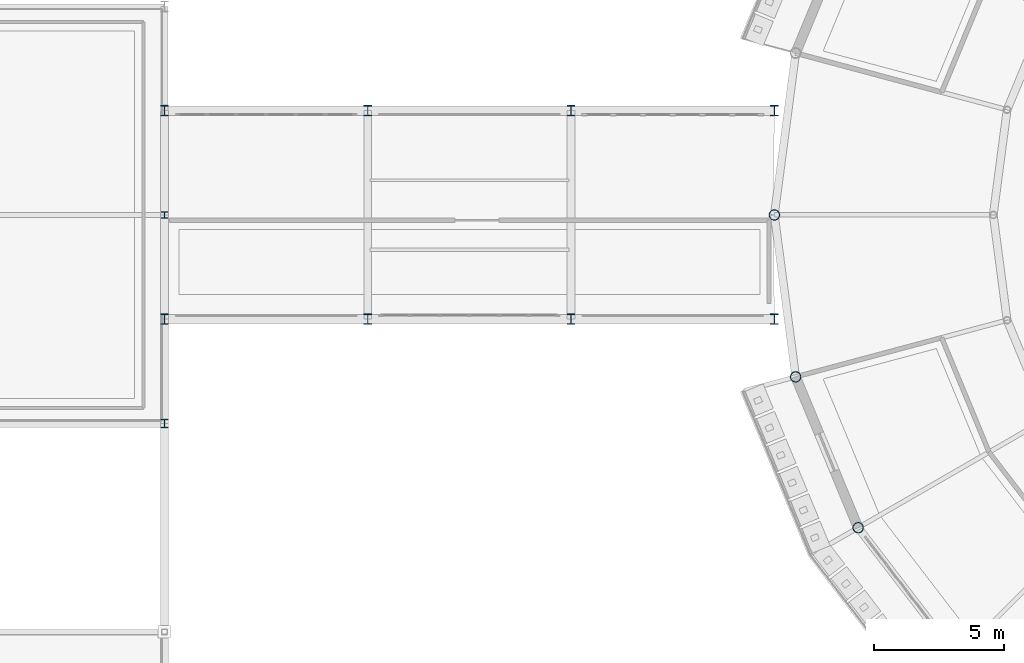
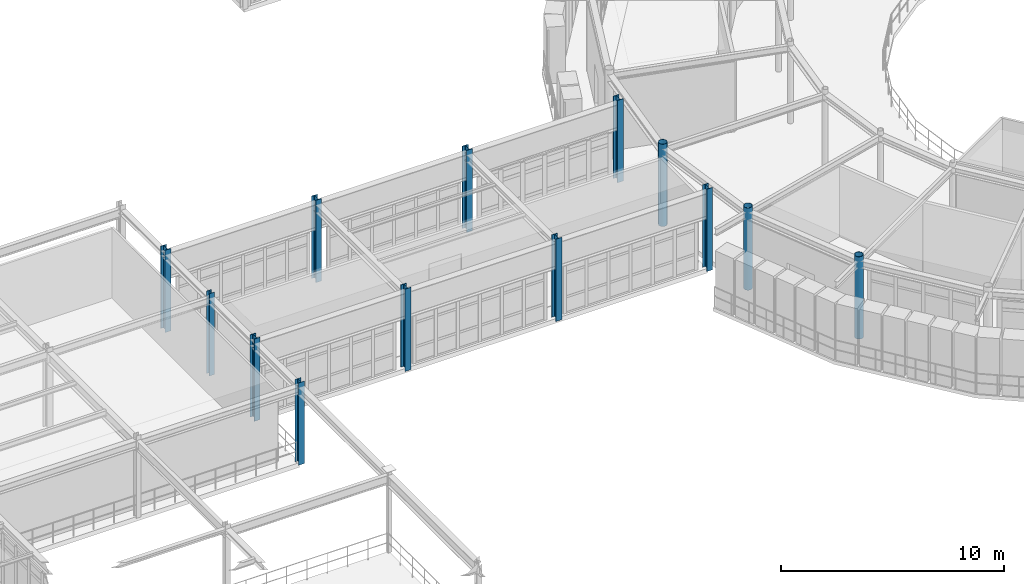
# One storey, part 7 of 106: 13 columns.
"""IFC4 building model written with IfcOpenShell, lengths in metres."""

import ifcopenshell
import ifcopenshell.guid

model = None  # the IFC model being written
_history = None  # IfcOwnerHistory: only IFC2X3 demands one
_inside = {}  # id of a spatial element -> (the spatial element, [elements in it])
_under = {}  # id of a project, library or spatial element -> (it, [spatial elements below it])
_declared = {}  # id of a project -> (the project, [libraries it declares])
_typed = {}  # id of a type object -> (the type object, [elements of that type])
_made_of = {}  # id of a material, layer set ... -> (it, [elements and type objects made of it])


def new_model(schema):
    """Start an empty IFC model of exactly this schema.

    Asked for "IFC4X3", IfcOpenShell would pick the latest addendum, in which some entities
    have other attributes; the version numbers below select the first issue.
    IFC2X3 requires an IfcOwnerHistory on every rooted entity: one is made here for all.
    """
    global model, _history
    if schema == "IFC4X3":
        model = ifcopenshell.file(schema_version=(4, 3, 0, 0))
    else:
        model = ifcopenshell.file(schema=schema)
    _inside.clear()
    _under.clear()
    _declared.clear()
    _typed.clear()
    _made_of.clear()
    _history = None
    if model.schema == "IFC2X3":
        org = make("IfcOrganization", Name="unknown")
        user = make(
            "IfcPersonAndOrganization",
            ThePerson=make("IfcPerson", FamilyName="unknown"),
            TheOrganization=org,
        )
        app = make(
            "IfcApplication",
            ApplicationDeveloper=org,
            Version="unknown",
            ApplicationFullName="unknown",
            ApplicationIdentifier="unknown",
        )
        _history = make(
            "IfcOwnerHistory",
            OwningUser=user,
            OwningApplication=app,
            ChangeAction="ADDED",
            CreationDate=0,
        )
    return model


def make(cls, **values):
    """One entity of the class cls with the attributes given. An attribute that is None is left unset."""
    return model.create_entity(
        cls, **{name: value for name, value in values.items() if value is not None}
    )


def rooted(cls, **values):
    """An entity with a GlobalId (a new one), such as an element, a storey or a relation."""
    return make(cls, GlobalId=ifcopenshell.guid.new(), OwnerHistory=_history, **values)


def si_unit(unit_type, name, prefix=None):
    """IfcSIUnit, for example si_unit("LENGTHUNIT", "METRE", prefix="MILLI")."""
    return make("IfcSIUnit", UnitType=unit_type, Prefix=prefix, Name=name)


def derived_unit(unit_type, elements):
    """IfcDerivedUnit: a product of units, each with its exponent."""
    return make(
        "IfcDerivedUnit",
        Elements=[
            make("IfcDerivedUnitElement", Unit=unit, Exponent=power)
            for unit, power in elements
        ],
        UnitType=unit_type,
    )


def assignment(units):
    """IfcUnitAssignment: the units of a project."""
    return None if units is None else make("IfcUnitAssignment", Units=units)


def point(xyz):
    """IfcCartesianPoint."""
    return None if xyz is None else make("IfcCartesianPoint", Coordinates=xyz)


def direction(xyz):
    """IfcDirection."""
    return None if xyz is None else make("IfcDirection", DirectionRatios=xyz)


def frame(location, z_axis=None, x_axis=None):
    """IfcAxis2Placement3D, a coordinate frame: its origin and axes. An axis left out is left unset."""
    return make(
        "IfcAxis2Placement3D",
        Location=point(location),
        Axis=direction(z_axis),
        RefDirection=direction(x_axis),
    )


def frame_2d(location, x_axis=None):
    """IfcAxis2Placement2D, a coordinate frame in the plane: its origin and x axis."""
    return make(
        "IfcAxis2Placement2D", Location=point(location), RefDirection=direction(x_axis)
    )


def origin():
    """The frame at (0, 0, 0) with its axes left unset."""
    return frame((0.0, 0.0, 0.0))


def origin_2d():
    """The frame at (0, 0) in the plane with its x axis left unset."""
    return frame_2d((0.0, 0.0))


def place(relative_to, where):
    """IfcLocalPlacement: puts the frame where relative to a parent placement (None: the world)."""
    return make(
        "IfcLocalPlacement", PlacementRelTo=relative_to, RelativePlacement=where
    )


def context(
    kind, dimensions, precision=None, world=None, true_north=None, identifier=None
):
    """IfcGeometricRepresentationContext, for example the 3D "Model" context."""
    return make(
        "IfcGeometricRepresentationContext",
        ContextIdentifier=identifier,
        ContextType=kind,
        CoordinateSpaceDimension=dimensions,
        Precision=precision,
        WorldCoordinateSystem=world,
        TrueNorth=true_north,
    )


def subcontext(parent, identifier, kind, view, scale=None):
    """IfcGeometricRepresentationSubContext, for example "Body" below "Model"."""
    return make(
        "IfcGeometricRepresentationSubContext",
        ContextIdentifier=identifier,
        ContextType=kind,
        ParentContext=parent,
        TargetScale=scale,
        TargetView=view,
    )


def project(units=None, contexts=None):
    """IfcProject with its units and contexts."""
    return rooted(
        "IfcProject",
        Name="project",
        RepresentationContexts=contexts,
        UnitsInContext=assignment(units),
    )


def spatial(cls, under=None, at=None, **own):
    """A site, building, storey or space (cls), placed at a placement, below another one or the project."""
    s = rooted(cls, ObjectPlacement=at, **own)
    if under is not None:
        _under.setdefault(under.id(), (under, []))[1].append(s)
    return s


def profile(cls, at=None, kind="AREA", **sizes):
    """A parametric profile (cls). Its sizes go by their IFC names, for example OverallWidth=200.0."""
    return make(cls, ProfileType=kind, Position=at, **sizes)


def hollow_circle(**sizes):
    """IfcCircleHollowProfileDef."""
    return profile("IfcCircleHollowProfileDef", **sizes)


def i_section(**sizes):
    """IfcIShapeProfileDef."""
    return profile("IfcIShapeProfileDef", **sizes)


def extrude(swept, where, along, depth):
    """IfcExtrudedAreaSolid: the profile swept, set in the frame where, extruded along a direction by depth."""
    return make(
        "IfcExtrudedAreaSolid",
        SweptArea=swept,
        Position=where,
        ExtrudedDirection=direction(along),
        Depth=depth,
    )


def shape(context_of_items, identifier, shape_type, items):
    """IfcShapeRepresentation: the items that make up one representation, for example the "Body"."""
    return make(
        "IfcShapeRepresentation",
        ContextOfItems=context_of_items,
        RepresentationIdentifier=identifier,
        RepresentationType=shape_type,
        Items=items,
    )


def material(Name=None, Category=None):
    """IfcMaterial."""
    return make("IfcMaterial", Name=Name, Category=Category)


def material_profile(
    of_material, cross_section, Name=None, Category=None, Priority=None
):
    """IfcMaterialProfile: a cross section and its material."""
    return make(
        "IfcMaterialProfile",
        Name=Name,
        Material=of_material,
        Profile=cross_section,
        Priority=Priority,
        Category=Category,
    )


def profile_set(profiles, Name=None, composite=None):
    """IfcMaterialProfileSet."""
    return make(
        "IfcMaterialProfileSet",
        Name=Name,
        MaterialProfiles=profiles,
        CompositeProfile=composite,
    )


def made_of(thing, what):
    """Note that an element or type object is made of a material, layer set ...; save() writes the relation."""
    if what is not None:
        _made_of.setdefault(what.id(), (what, []))[1].append(thing)
    return thing


def type_object(cls, material=None, **own):
    """A type object (cls), such as IfcWallType, which elements share."""
    return made_of(rooted(cls, **own), material)


def element(
    cls,
    number,
    at=None,
    inside=None,
    cuts=None,
    type_object=None,
    material=None,
    context=None,
    identifier="Body",
    shape_type=None,
    held_by="IfcProductDefinitionShape",
    body=None,
    shapes=None,
    **own,
):
    """One element of the class cls, such as IfcWall. Its Tag is "e" and its number.

    at: its placement. inside: the storey or other place that contains it. cuts: it is an
    opening in that element (IfcRelVoidsElement). A single representation is given by context,
    identifier, shape_type and body (its items); several are given by shapes. held_by: the class
    of the entity that holds the representations. save() writes the other relations.
    """
    e = rooted(cls, Tag="e%d" % number, ObjectPlacement=at, **own)
    if body is not None:
        shapes = [shape(context, identifier, shape_type, body)]
    if shapes is not None:
        e.Representation = make(held_by, Representations=shapes)
    if inside is not None:
        _inside.setdefault(inside.id(), (inside, []))[1].append(e)
    if cuts is not None:
        rooted(
            "IfcRelVoidsElement", RelatingBuildingElement=cuts, RelatedOpeningElement=e
        )
    if type_object is not None:
        _typed.setdefault(type_object.id(), (type_object, []))[1].append(e)
    return made_of(e, material)


def aggregate(whole, parts):
    """IfcRelAggregates: a whole, such as a stair, and the parts it consists of."""
    return rooted("IfcRelAggregates", RelatingObject=whole, RelatedObjects=parts)


def save(model, path):
    """Write the relations noted so far, then the file.

    IfcRelAggregates (storeys below a building ...), IfcRelContainedInSpatialStructure (elements
    in a storey), IfcRelDefinesByType, IfcRelAssociatesMaterial and IfcRelDeclares: one each for
    every whole, place, type object, material and project.
    """
    for whole, parts in _under.values():
        aggregate(whole, parts)
    for where, things in _inside.values():
        rooted(
            "IfcRelContainedInSpatialStructure",
            RelatedElements=things,
            RelatingStructure=where,
        )
    for kind, things in _typed.values():
        rooted("IfcRelDefinesByType", RelatedObjects=things, RelatingType=kind)
    for what, things in _made_of.values():
        rooted("IfcRelAssociatesMaterial", RelatedObjects=things, RelatingMaterial=what)
    for by, libraries in _declared.values():
        rooted("IfcRelDeclares", RelatingContext=by, RelatedDefinitions=libraries)
    model.write(path)


model = new_model("IFC4")

# Units and contexts
model_context = context("Model", 3, precision=1e-05, world=origin(), true_north=direction((0.0, 1.0)))
body_context = subcontext(model_context, "Body", "Model", "MODEL_VIEW")
ifc_project = project(units=[si_unit("LENGTHUNIT", "METRE"), si_unit("AREAUNIT", "SQUARE_METRE"), si_unit("VOLUMEUNIT", "CUBIC_METRE"), si_unit("PLANEANGLEUNIT", "RADIAN"), si_unit("MASSUNIT", "GRAM", prefix="KILO"), derived_unit("THERMALTRANSMITTANCEUNIT", [(si_unit("POWERUNIT", "WATT"), 1), (si_unit("AREAUNIT", "SQUARE_METRE"), -1), (si_unit("THERMODYNAMICTEMPERATUREUNIT", "KELVIN"), -1)])], contexts=[model_context])

# Site, building, storey
site_placement = place(None, origin())
site = spatial("IfcSite", under=ifc_project, at=site_placement, CompositionType="ELEMENT")
building_placement = place(site_placement, origin())
building = spatial("IfcBuilding", under=site, at=building_placement, Name="Yasenodar Specialist Clinic", CompositionType="ELEMENT")
storey_placement = place(building_placement, frame((0.0, 0.0, 4.5)))
storey = spatial("IfcBuildingStorey", under=building, at=storey_placement, Name="L01", CompositionType="ELEMENT", Elevation=4.5)

# Columns
ifc_material = material(Name="Steel S355", Category="steel")
ifc_material_profile_1 = material_profile(ifc_material, hollow_circle(Radius=0.203125, WallThickness=0.01611328125, at=origin_2d()), Name="CHS 406.4x16")
ifc_profile_set_1 = profile_set([ifc_material_profile_1], Name="Steel S355")
column_type_1 = type_object("IfcColumnType", Name="COL-ST-CHS406", PredefinedType="COLUMN", material=ifc_profile_set_1)
for number, where, z_axis, x_axis, name in (
    (1, (57.0, 58.800048828125, 0.0), (0.0, 0.0, 1.0), (1.0, 0.0, 0.0), "L01 Drum V1 Outer Column 13"),
    (2, (57.81787109375, 52.58837890625, 0.0), (0.0, 0.0, 1.0), (1.0, 0.0, 0.0), "L01 Drum V1 Outer Column 14"),
    (3, (60.21533203125, 46.800048828125, 0.0), (0.0, 0.0, 1.0), (1.0, 0.0, 0.0), "L01 Drum V1 Outer Column 15"),
):
    element("IfcColumn", number, at=place(storey_placement, frame(where, z_axis=z_axis, x_axis=x_axis)), inside=storey, type_object=column_type_1, Name=name, PredefinedType="COLUMN", context=body_context, shape_type="SweptSolid", body=[
        extrude(hollow_circle(Radius=0.203125, WallThickness=0.01611328125, at=origin_2d()), origin(), (0.0, 0.0, 1.0), 4.5),
    ])
ifc_material_profile_2 = material_profile(ifc_material, i_section(OverallWidth=0.300048828125, OverallDepth=0.330078125, WebThickness=0.009521484375, FlangeThickness=0.0166015625, FilletRadius=0.027099609375, at=origin_2d()), Name="HEA 340")
ifc_profile_set_2 = profile_set([ifc_material_profile_2], Name="Steel S355")
column_type_2 = type_object("IfcColumnType", Name="COL-ST-HEA340", PredefinedType="COLUMN", material=ifc_profile_set_2)
column_1_placement = place(storey_placement, frame((33.60009765625, 50.800048828125, 0.0), z_axis=(0.0, 0.0, 1.0), x_axis=(1.0, 0.0, 0.0)))
element("IfcColumn", 4, at=column_1_placement, inside=storey, type_object=column_type_2, Name="L01 Column V4-064", PredefinedType="COLUMN", context=body_context, shape_type="SweptSolid", body=[
    extrude(i_section(OverallWidth=0.300048828125, OverallDepth=0.330078125, WebThickness=0.009521484375, FlangeThickness=0.0166015625, FilletRadius=0.027099609375, at=origin_2d()), origin(), (0.0, 0.0, 1.0), 4.5),
])
ifc_material_profile_3 = material_profile(ifc_material, i_section(OverallWidth=0.260009765625, OverallDepth=0.260009765625, WebThickness=0.010009765625, FlangeThickness=0.017578125, FilletRadius=0.02392578125, at=origin_2d()), Name="HEB 260")
ifc_profile_set_3 = profile_set([ifc_material_profile_3], Name="Steel S355")
column_type_3 = type_object("IfcColumnType", Name="COL-ST-HEB260", PredefinedType="COLUMN", material=ifc_profile_set_3)
column_2_placement = place(storey_placement, frame((33.60009765625, 58.800048828125, 0.0), z_axis=(0.0, 0.0, 1.0), x_axis=(1.0, 0.0, 0.0)))
element("IfcColumn", 5, at=column_2_placement, inside=storey, type_object=column_type_3, Name="L01 Column V4-066", PredefinedType="COLUMN", context=body_context, shape_type="SweptSolid", body=[
    extrude(i_section(OverallWidth=0.260009765625, OverallDepth=0.260009765625, WebThickness=0.010009765625, FlangeThickness=0.017578125, FilletRadius=0.02392578125, at=origin_2d()), origin(), (0.0, 0.0, 1.0), 4.5),
])
ifc_material_profile_4 = material_profile(ifc_material, i_section(OverallWidth=0.300048828125, OverallDepth=0.39990234375, WebThickness=0.013427734375, FlangeThickness=0.02392578125, FilletRadius=0.027099609375, at=origin_2d()), Name="HEB 400")
ifc_profile_set_4 = profile_set([ifc_material_profile_4], Name="Steel S355")
column_type_4 = type_object("IfcColumnType", Name="COL-ST-HEB400", PredefinedType="COLUMN", material=ifc_profile_set_4)
for number, where, z_axis, x_axis, name in (
    (6, (33.60009765625, 54.800048828125, 0.0), (0.0, 0.0, 1.0), (1.0, 0.0, 0.0), "L01 Column V6-065"),
    (7, (33.60009765625, 62.800048828125, 0.0), (0.0, 0.0, 1.0), (1.0, 0.0, 0.0), "L01 Column V6-067"),
    (8, (41.39990234375, 54.800048828125, 0.0), (0.0, 0.0, 1.0), (1.0, 0.0, 0.0), "L01 Column V6-074"),
    (9, (41.39990234375, 62.800048828125, 0.0), (0.0, 0.0, 1.0), (1.0, 0.0, 0.0), "L01 Column V6-075"),
    (10, (49.199951171875, 54.800048828125, 0.0), (0.0, 0.0, 1.0), (1.0, 0.0, 0.0), "L01 Column V6-079"),
    (11, (49.199951171875, 62.800048828125, 0.0), (0.0, 0.0, 1.0), (1.0, 0.0, 0.0), "L01 Column V6-080"),
    (12, (57.0, 54.800048828125, 0.0), (0.0, 0.0, 1.0), (1.0, 0.0, 0.0), "L01 Column V6-086"),
    (13, (57.0, 62.800048828125, 0.0), (0.0, 0.0, 1.0), (1.0, 0.0, 0.0), "L01 Column V6-087"),
):
    element("IfcColumn", number, at=place(storey_placement, frame(where, z_axis=z_axis, x_axis=x_axis)), inside=storey, type_object=column_type_4, Name=name, PredefinedType="COLUMN", context=body_context, shape_type="SweptSolid", body=[
        extrude(i_section(OverallWidth=0.300048828125, OverallDepth=0.39990234375, WebThickness=0.013427734375, FlangeThickness=0.02392578125, FilletRadius=0.027099609375, at=origin_2d()), origin(), (0.0, 0.0, 1.0), 4.5),
    ])

save(model, "model.ifc")
